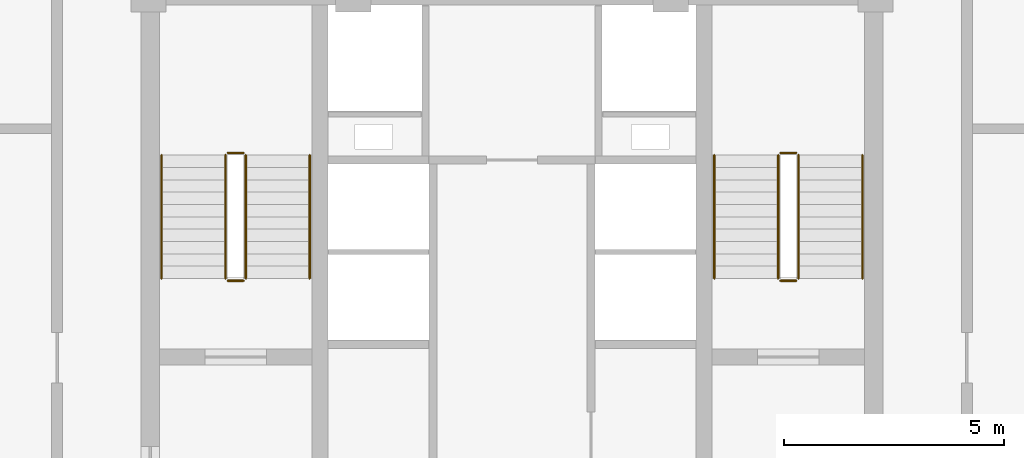
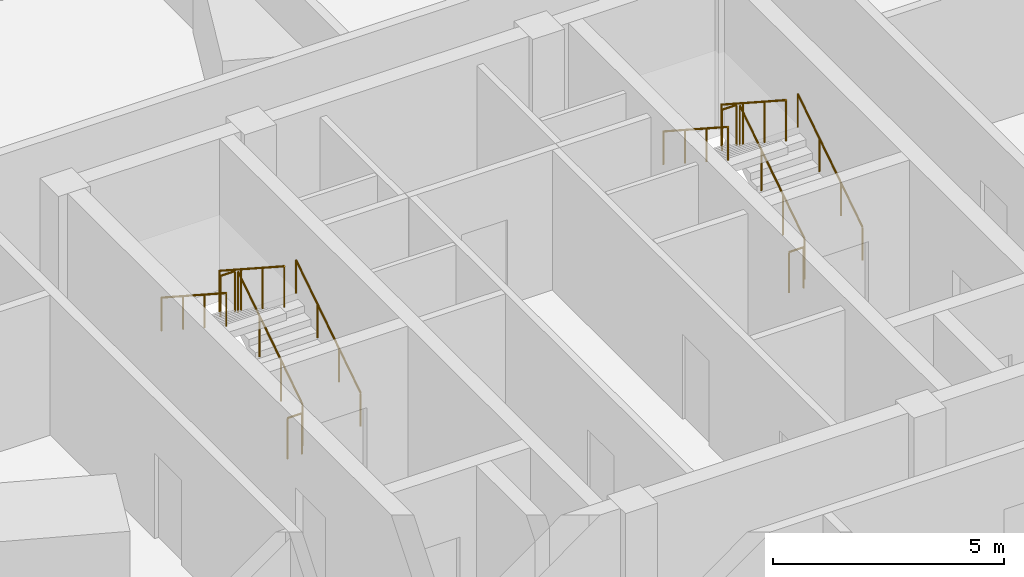
# One storey, part 34 of 35: 12 railings.
"""IFC4 building model written with IfcOpenShell, lengths in metres."""

from ifc_helpers import new_model, si_unit, direction, frame, origin, origin_2d, place, context, subcontext, project, spatial, circle, extrude, source, transform, mapped, material, type_object, element, save


model = new_model("IFC4")

# Units and contexts
model_context = context("Model", 3, precision=1e-05, world=origin(), true_north=direction((0.0, 1.0)))
body_context = subcontext(model_context, "Body", "Model", "MODEL_VIEW")
ifc_project = project(units=[si_unit("LENGTHUNIT", "METRE"), si_unit("AREAUNIT", "SQUARE_METRE"), si_unit("VOLUMEUNIT", "CUBIC_METRE"), si_unit("PLANEANGLEUNIT", "RADIAN"), si_unit("MASSUNIT", "GRAM", prefix="KILO"), si_unit("THERMODYNAMICTEMPERATUREUNIT", "KELVIN")], contexts=[model_context])

# Site, building, storey
site_placement = place(None, origin())
site = spatial("IfcSite", under=ifc_project, at=site_placement, CompositionType="ELEMENT")
building_placement = place(site_placement, origin())
building = spatial("IfcBuilding", under=site, at=building_placement, Name="Kosmvard Interchange Tower", CompositionType="ELEMENT")
storey_placement = place(building_placement, frame((0.0, 0.0, 321.60009765625)))
storey = spatial("IfcBuildingStorey", under=building, at=storey_placement, Name="L79", CompositionType="ELEMENT", Elevation=321.60009765625)

# Railings
ifc_material = material(Name="Steel S355", Category="steel")
railing_type_1 = type_object("IfcRailingType", Name="Stair & Terrace Safety Guardrail 1100 Steel", PredefinedType="GUARDRAIL", material=ifc_material)
shared_shape_1 = source(origin(), body_context, "Body", "SweptSolid", [
    extrude(circle(Radius=0.02392578125, at=origin_2d()), frame((0.0, 0.0, 1.076171875), z_axis=(-1.0, 0.0, 0.0), x_axis=(0.0, -1.0, 0.0)), (0.0, 0.0, 1.0), 0.35986328125),
    extrude(circle(Radius=0.02099609375, at=origin_2d()), origin(), (0.0, 0.0, 1.0), 1.052001953125),
    extrude(circle(Radius=0.02099609375, at=origin_2d()), frame((-0.35986328125, 0.0, 0.0)), (0.0, 0.0, 1.0), 1.052001953125),
])
for number, where, name in (
    (1, (-6.090087890625, 4.64990234375, 2.0), "L79 ST-1 stair guard 2"),
    (2, (-6.090087890625, 1.75, 0.0), "L79 ST-1 stair guard 4"),
    (3, (6.449951171875, 4.64990234375, 2.0), "L79 ST-2 stair guard 2"),
    (4, (6.449951171875, 1.75, 0.0), "L79 ST-2 stair guard 4"),
):
    element("IfcRailing", number, at=place(storey_placement, frame(where)), inside=storey, type_object=railing_type_1, Name=name, PredefinedType="GUARDRAIL", context=body_context, shape_type="MappedRepresentation", body=[
        mapped(shared_shape_1, transform((0.0, 0.0, 0.0), scale=1.0)),
    ])
shared_shape_2 = source(origin(), body_context, "Body", "SweptSolid", [
    extrude(circle(Radius=0.02392578125, at=origin_2d()), frame((0.0, 0.0, 1.076171875), z_axis=(0.0, 0.838672427954, 0.544636170843), x_axis=(-1.0, 0.0, 0.0)), (0.0, 0.0, 1.0), 3.338623046875),
    extrude(circle(Radius=0.02099609375, at=origin_2d()), origin(), (0.0, 0.0, 1.0), 1.052001953125),
    extrude(circle(Radius=0.02099609375, at=origin_2d()), frame((0.0, 0.933349609375, 0.606201171875)), (0.0, 0.0, 1.0), 1.052001953125),
    extrude(circle(Radius=0.02099609375, at=origin_2d()), frame((0.0, 1.86669921875, 1.212158203125)), (0.0, 0.0, 1.0), 1.052001953125),
    extrude(circle(Radius=0.02099609375, at=origin_2d()), frame((0.0, 2.800048828125, 1.818359375)), (0.0, 0.0, 1.0), 1.052001953125),
])
for number, where, name in (
    (5, (-6.0400390625, 1.800048828125, 0.181640625), "L79 ST-1 stair guard 1"),
    (6, (6.5, 1.800048828125, 0.181640625), "L79 ST-2 stair guard 1"),
):
    element("IfcRailing", number, at=place(storey_placement, frame(where)), inside=storey, type_object=railing_type_1, Name=name, PredefinedType="GUARDRAIL", context=body_context, shape_type="MappedRepresentation", body=[
        mapped(shared_shape_2, transform((0.0, 0.0, 0.0), scale=1.0)),
    ])
shared_shape_3 = source(origin(), body_context, "Body", "SweptSolid", [
    extrude(circle(Radius=0.02392578125, at=origin_2d()), frame((0.0, 0.0, 1.076171875), z_axis=(0.0, -0.838672427954, 0.544636170843), x_axis=(1.0, 0.0, 0.0)), (0.0, 0.0, 1.0), 3.338623046875),
    extrude(circle(Radius=0.02099609375, at=origin_2d()), origin(), (0.0, 0.0, 1.0), 1.052001953125),
    extrude(circle(Radius=0.02099609375, at=origin_2d()), frame((0.0, -0.933349609375, 0.606201171875)), (0.0, 0.0, 1.0), 1.052001953125),
    extrude(circle(Radius=0.02099609375, at=origin_2d()), frame((0.0, -1.86669921875, 1.212158203125)), (0.0, 0.0, 1.0), 1.052001953125),
    extrude(circle(Radius=0.02099609375, at=origin_2d()), frame((0.0, -2.800048828125, 1.818359375)), (0.0, 0.0, 1.0), 1.052001953125),
])
for number, where, name in (
    (7, (-6.5, 4.60009765625, 2.181640625), "L79 ST-1 stair guard 3"),
    (8, (6.0400390625, 4.60009765625, 2.181640625), "L79 ST-2 stair guard 3"),
):
    element("IfcRailing", number, at=place(storey_placement, frame(where)), inside=storey, type_object=railing_type_1, Name=name, PredefinedType="GUARDRAIL", context=body_context, shape_type="MappedRepresentation", body=[
        mapped(shared_shape_3, transform((0.0, 0.0, 0.0), scale=1.0)),
    ])
railing_type_2 = type_object("IfcRailingType", Name="Wall-Mounted Stair Handrail 900 Steel", PredefinedType="HANDRAIL", material=ifc_material)
shared_shape_4 = source(origin(), body_context, "Body", "SweptSolid", [
    extrude(circle(Radius=0.02392578125, at=origin_2d()), frame((0.0, 0.0, 0.8759765625), z_axis=(0.0, 0.838672427954, 0.544636170843), x_axis=(-1.0, 0.0, 0.0)), (0.0, 0.0, 1.0), 3.338623046875),
    extrude(circle(Radius=0.02099609375, at=origin_2d()), origin(), (0.0, 0.0, 1.0), 0.851806640625),
    extrude(circle(Radius=0.02099609375, at=origin_2d()), frame((0.0, 0.933349609375, 0.606201171875)), (0.0, 0.0, 1.0), 0.851806640625),
    extrude(circle(Radius=0.02099609375, at=origin_2d()), frame((0.0, 1.86669921875, 1.212158203125)), (0.0, 0.0, 1.0), 0.851806640625),
    extrude(circle(Radius=0.02099609375, at=origin_2d()), frame((0.0, 2.800048828125, 1.818359375)), (0.0, 0.0, 1.0), 0.851806640625),
])
for number, where, name in (
    (9, (-4.590087890625, 1.800048828125, 0.181640625), "L79 ST-1 stair handrail 1"),
    (10, (7.949951171875, 1.800048828125, 0.181640625), "L79 ST-2 stair handrail 1"),
):
    element("IfcRailing", number, at=place(storey_placement, frame(where)), inside=storey, type_object=railing_type_2, Name=name, PredefinedType="HANDRAIL", context=body_context, shape_type="MappedRepresentation", body=[
        mapped(shared_shape_4, transform((0.0, 0.0, 0.0), scale=1.0)),
    ])
shared_shape_5 = source(origin(), body_context, "Body", "SweptSolid", [
    extrude(circle(Radius=0.02392578125, at=origin_2d()), frame((0.0, 0.0, 0.8759765625), z_axis=(0.0, -0.838672427954, 0.544636170843), x_axis=(1.0, 0.0, 0.0)), (0.0, 0.0, 1.0), 3.338623046875),
    extrude(circle(Radius=0.02099609375, at=origin_2d()), origin(), (0.0, 0.0, 1.0), 0.851806640625),
    extrude(circle(Radius=0.02099609375, at=origin_2d()), frame((0.0, -0.933349609375, 0.606201171875)), (0.0, 0.0, 1.0), 0.851806640625),
    extrude(circle(Radius=0.02099609375, at=origin_2d()), frame((0.0, -1.86669921875, 1.212158203125)), (0.0, 0.0, 1.0), 0.851806640625),
    extrude(circle(Radius=0.02099609375, at=origin_2d()), frame((0.0, -2.800048828125, 1.818359375)), (0.0, 0.0, 1.0), 0.851806640625),
])
for number, where, name in (
    (11, (-7.949951171875, 4.60009765625, 2.181640625), "L79 ST-1 stair handrail 2"),
    (12, (4.590087890625, 4.60009765625, 2.181640625), "L79 ST-2 stair handrail 2"),
):
    element("IfcRailing", number, at=place(storey_placement, frame(where)), inside=storey, type_object=railing_type_2, Name=name, PredefinedType="HANDRAIL", context=body_context, shape_type="MappedRepresentation", body=[
        mapped(shared_shape_5, transform((0.0, 0.0, 0.0), scale=1.0)),
    ])

save(model, "model.ifc")
